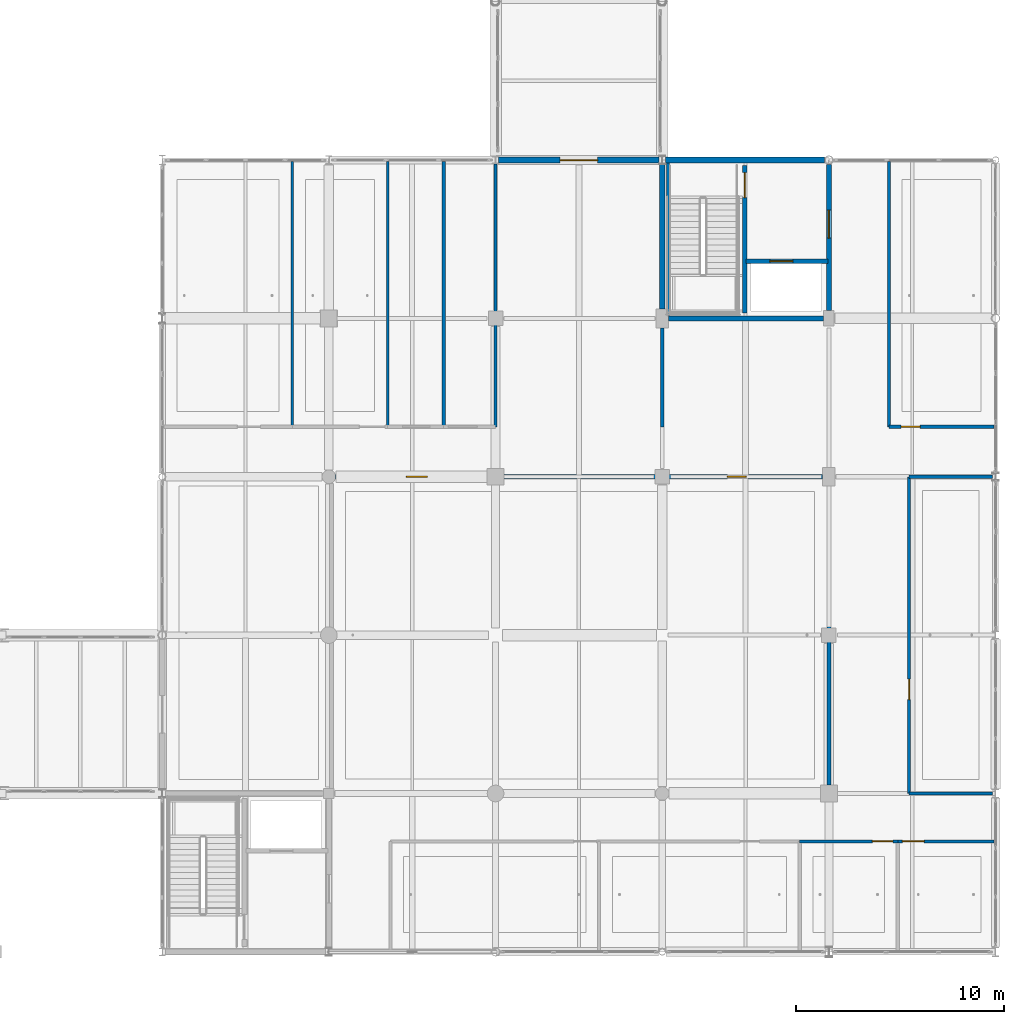
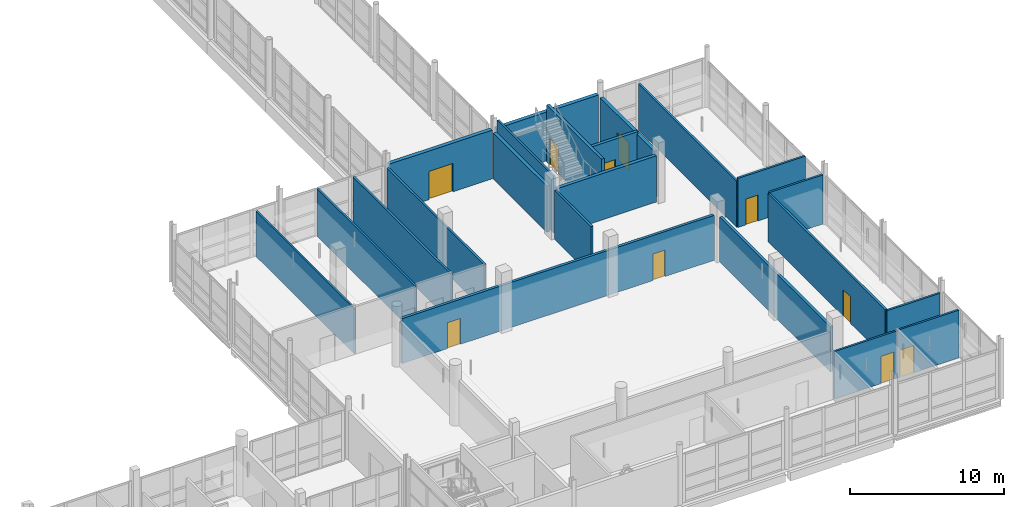
# One storey, part 95 of 141: 22 walls, 10 doors, 10 openings.
"""IFC4 building model written with IfcOpenShell, lengths in metres."""

from ifc_helpers import new_model, si_unit, direction, frame, frame_2d, origin, place, context, subcontext, project, spatial, rectangle, extrude, material, layer, layer_set, type_object, element, fill, save


model = new_model("IFC4")

# Units and contexts
model_context = context("Model", 3, precision=1e-05, world=origin(), true_north=direction((0.0, 1.0)))
body_context = subcontext(model_context, "Body", "Model", "MODEL_VIEW")
ifc_project = project(units=[si_unit("LENGTHUNIT", "METRE"), si_unit("AREAUNIT", "SQUARE_METRE"), si_unit("VOLUMEUNIT", "CUBIC_METRE"), si_unit("PLANEANGLEUNIT", "RADIAN"), si_unit("MASSUNIT", "GRAM", prefix="KILO")], contexts=[model_context])

# Site, building, storey
site_placement = place(None, origin())
site = spatial("IfcSite", under=ifc_project, at=site_placement, CompositionType="ELEMENT")
building_placement = place(site_placement, origin())
building = spatial("IfcBuilding", under=site, at=building_placement, Name="Khelvaren Railside Concert Hall", CompositionType="ELEMENT")
storey_placement = place(building_placement, frame((0.0, 0.0, 10.199951171875)))
storey = spatial("IfcBuildingStorey", under=building, at=storey_placement, Name="L02", CompositionType="ELEMENT", Elevation=10.199951171875)

# Walls
ifc_material_1 = material(Name="Concrete C40/50", Category="concrete")
ifc_layer_1 = layer(ifc_material_1, 0.139892578125)
ifc_layer_set_1 = layer_set([ifc_layer_1], Name="Concrete C40/50")
wall_type_1 = type_object("IfcWallType", Name="CW17", PredefinedType="SOLIDWALL", material=ifc_layer_set_1)
wall_1_placement = place(storey_placement, frame((168.27490234375, 30.550048828125, 0.0), z_axis=(0.0, 0.0, 1.0), x_axis=(0.0, 1.0, 0.0)))
element("IfcWall", 1, at=wall_1_placement, inside=storey, type_object=wall_type_1, Name="Core Shaft Structural Liner Wall ST-04-L02", PredefinedType="SOLIDWALL", context=body_context, shape_type="SweptSolid", body=[
    extrude(rectangle(XDim=7.300048828125, YDim=0.139892578125, at=frame_2d((3.64990234375, 0.0))), origin(), (0.0, 0.0, 1.0), 4.52001953125),
])
ifc_layer_2 = layer(ifc_material_1, 0.25)
ifc_layer_set_2 = layer_set([ifc_layer_2], Name="Concrete C40/50")
wall_type_2 = type_object("IfcWallType", Name="CW82", PredefinedType="SOLIDWALL", material=ifc_layer_set_2)
wall_2_placement = place(storey_placement, frame((168.0, 30.85009765625, 0.0), z_axis=(0.0, 0.0, 1.0), x_axis=(0.0, 1.0, 0.0)))
element("IfcWall", 2, at=wall_2_placement, inside=storey, type_object=wall_type_2, Name="Core Enclosure Wall CWALL-ST-04-L02-W", PredefinedType="SOLIDWALL", context=body_context, shape_type="SweptSolid", body=[
    extrude(rectangle(XDim=6.954833984375, YDim=0.25, at=frame_2d((3.4775390625, 0.0))), origin(), (0.0, 0.0, 1.0), 3.655029296875),
])
wall_3_placement = place(storey_placement, frame((168.300048828125, 30.39990234375, 0.0), z_axis=(0.0, 0.0, 1.0), x_axis=(1.0, 0.0, 0.0)))
element("IfcWall", 3, at=wall_3_placement, inside=storey, type_object=wall_type_2, Name="Core Enclosure Wall CWALL-ST-04-L02-S", PredefinedType="SOLIDWALL", context=body_context, shape_type="SweptSolid", body=[
    extrude(rectangle(XDim=7.449951171875, YDim=0.25, at=frame_2d((3.72509765625, 0.0))), origin(), (0.0, 0.0, 1.0), 3.66015625),
])

# Wall, opening, door
wall_4_placement = place(storey_placement, frame((176.0, 30.77490234375, 0.0), z_axis=(0.0, 0.0, 1.0), x_axis=(0.0, 1.0, 0.0)))
wall_4 = element("IfcWall", 4, at=wall_4_placement, inside=storey, type_object=wall_type_2, Name="Core Enclosure Wall CWALL-ST-04-L02-E", PredefinedType="SOLIDWALL", context=body_context, shape_type="SweptSolid", body=[
    extrude(rectangle(XDim=7.02197265625, YDim=0.25, at=frame_2d((3.510986328125, 0.0))), origin(), (0.0, 0.0, 1.0), 3.64501953125),
])
opening_1_placement = place(wall_4_placement, frame((3.47509765625, 0.0, 0.0)))
opening_1 = element("IfcOpeningElement", 5, at=opening_1_placement, cuts=wall_4, Name="Opening FDR34", PredefinedType="OPENING", context=body_context, shape_type="SweptSolid", body=[
    extrude(rectangle(XDim=1.35009765625, YDim=2.199951171875, at=frame_2d((0.675048828125, 1.10009765625))), frame((0.0, 0.135009765625, 0.0), z_axis=(0.0, -1.0, 0.0), x_axis=(1.0, 0.0, 0.0)), (0.0, 0.0, 1.0), 0.27001953125),
])
ifc_material_2 = material(Name="Acoustic fire-rated timber-core steel frame door", Category="steel")
door_type_1 = type_object("IfcDoorType", Name="FDR34", OperationType="NOTDEFINED", PredefinedType="DOOR", material=ifc_material_2)
door_1_placement = place(opening_1_placement, origin())
door_1 = element("IfcDoor", 6, at=door_1_placement, inside=storey, type_object=door_type_1, Name="Interior Door DR-ST-04-L02-LOB", OperationType="SINGLE_SWING_LEFT", OverallHeight=2.199951171875, OverallWidth=1.35009765625, PredefinedType="DOOR", context=body_context, shape_type="SweptSolid", body=[
    extrude(rectangle(XDim=1.35009765625, YDim=2.199951171875, at=frame_2d((0.675048828125, 1.10009765625))), frame((0.0, 0.02490234375, 0.0), z_axis=(0.0, -1.0, 0.0), x_axis=(1.0, 0.0, 0.0)), (0.0, 0.0, 1.0), 0.050048828125),
])
fill(opening_1, door_1)

ifc_layer_3 = layer(ifc_material_1, 0.219970703125)
ifc_layer_set_3 = layer_set([ifc_layer_3], Name="Concrete C40/50")
wall_type_3 = type_object("IfcWallType", Name="CW97", PredefinedType="SOLIDWALL", material=ifc_layer_set_3)
wall_5_placement = place(storey_placement, frame((171.949951171875, 30.64990234375, 0.0), z_axis=(0.0, 0.0, 1.0), x_axis=(0.0, 1.0, 0.0)))
wall_5 = element("IfcWall", 7, at=wall_5_placement, inside=storey, type_object=wall_type_3, Name="Core Enclosure Wall CWALL-ST-04-L02-MID", PredefinedType="SOLIDWALL", context=body_context, shape_type="SweptSolid", body=[
    extrude(rectangle(XDim=7.10009765625, YDim=0.219970703125, at=frame_2d((3.550048828125, 0.0))), origin(), (0.0, 0.0, 1.0), 4.52001953125),
])
opening_2_placement = place(wall_5_placement, frame((5.550048828125, 0.0, 0.0)))
opening_2 = element("IfcOpeningElement", 8, at=opening_2_placement, cuts=wall_5, Name="Opening FDR17", PredefinedType="OPENING", context=body_context, shape_type="SweptSolid", body=[
    extrude(rectangle(XDim=1.199951171875, YDim=2.14990234375, at=frame_2d((0.60009765625, 1.074951171875))), frame((0.0, 0.119873046875, 0.0), z_axis=(0.0, -1.0, 0.0), x_axis=(1.0, 0.0, 0.0)), (0.0, 0.0, 1.0), 0.239990234375),
])
door_type_2 = type_object("IfcDoorType", Name="FDR17", OperationType="NOTDEFINED", PredefinedType="DOOR", material=ifc_material_2)
door_2_placement = place(opening_2_placement, origin())
door_2 = element("IfcDoor", 9, at=door_2_placement, inside=storey, type_object=door_type_2, Name="Interior Door DR-ST-04-L02-ST", OperationType="SINGLE_SWING_RIGHT", OverallHeight=2.14990234375, OverallWidth=1.199951171875, PredefinedType="DOOR", context=body_context, shape_type="SweptSolid", body=[
    extrude(rectangle(XDim=1.199951171875, YDim=2.14990234375, at=frame_2d((0.60009765625, 1.074951171875))), frame((0.0, 0.02490234375, 0.0), z_axis=(0.0, -1.0, 0.0), x_axis=(1.0, 0.0, 0.0)), (0.0, 0.0, 1.0), 0.050048828125),
])
fill(opening_2, door_2)

wall_6_placement = place(storey_placement, frame((172.02001953125, 33.14990234375, 0.0), z_axis=(0.0, 0.0, 1.0), x_axis=(1.0, 0.0, 0.0)))
wall_6 = element("IfcWall", 10, at=wall_6_placement, inside=storey, type_object=wall_type_3, Name="Core Enclosure Wall CWALL-ST-04-L02-SHF", PredefinedType="SOLIDWALL", context=body_context, shape_type="SweptSolid", body=[
    extrude(rectangle(XDim=3.929931640625, YDim=0.219970703125, at=frame_2d((1.96484375, 0.0))), origin(), (0.0, 0.0, 1.0), 3.820068359375),
])
opening_3_placement = place(wall_6_placement, frame((1.14990234375, 0.0, 0.0)))
opening_3 = element("IfcOpeningElement", 11, at=opening_3_placement, cuts=wall_6, Name="Opening LD-PL-03", PredefinedType="OPENING", context=body_context, shape_type="SweptSolid", body=[
    extrude(rectangle(XDim=1.10009765625, YDim=2.199951171875, at=frame_2d((0.550048828125, 1.10009765625))), frame((0.0, 0.119873046875, 0.0), z_axis=(0.0, -1.0, 0.0), x_axis=(1.0, 0.0, 0.0)), (0.0, 0.0, 1.0), 0.239990234375),
])
ifc_material_3 = material(Name="Fire-rated brushed stainless steel landing door", Category="steel")
door_type_3 = type_object("IfcDoorType", Name="LD96", OperationType="DOUBLE_DOOR_SLIDING", PredefinedType="DOOR", material=ifc_material_3)
door_3_placement = place(opening_3_placement, origin())
door_3 = element("IfcDoor", 12, at=door_3_placement, inside=storey, type_object=door_type_3, Name="Lift Landing Door LD-PL-03-L02", OperationType="DOUBLE_DOOR_SLIDING", OverallHeight=2.199951171875, OverallWidth=1.10009765625, PredefinedType="DOOR", context=body_context, shape_type="SweptSolid", body=[
    extrude(rectangle(XDim=1.10009765625, YDim=2.199951171875, at=frame_2d((0.550048828125, 1.10009765625))), frame((0.0, 0.02490234375, 0.0), z_axis=(0.0, -1.0, 0.0), x_axis=(1.0, 0.0, 0.0)), (0.0, 0.0, 1.0), 0.050048828125),
])
fill(opening_3, door_3)

ifc_material_4 = material(Name="Board-marked architectural concrete C40/50", Category="concrete")
ifc_layer_4 = layer(ifc_material_4, 0.280029296875)
ifc_layer_set_4 = layer_set([ifc_layer_4], Name="Board-marked architectural concrete C40/50")
wall_type_4 = type_object("IfcWallType", Name="EW17", PredefinedType="SOLIDWALL", material=ifc_layer_set_4)
wall_7_placement = place(storey_placement, frame((160.14990234375, 38.0, 0.0), z_axis=(0.0, 0.0, 1.0), x_axis=(1.0, 0.0, 0.0)))
wall_7 = element("IfcWall", 13, at=wall_7_placement, inside=storey, type_object=wall_type_4, Name="V2 L02 Bridge Portal Wall N", PredefinedType="SOLIDWALL", context=body_context, shape_type="SweptSolid", body=[
    extrude(rectangle(XDim=7.7001953125, YDim=0.280029296875, at=frame_2d((3.85009765625, 0.0))), origin(), (0.0, 0.0, 1.0), 3.860107421875),
])
opening_4_placement = place(wall_7_placement, frame((2.949951171875, 0.0, 0.0)))
opening_4 = element("IfcOpeningElement", 14, at=opening_4_placement, cuts=wall_7, Name="Opening DR64", PredefinedType="OPENING", context=body_context, shape_type="SweptSolid", body=[
    extrude(rectangle(XDim=1.800048828125, YDim=2.25, at=frame_2d((0.89990234375, 1.125))), frame((0.0, 0.14990234375, 0.0), z_axis=(0.0, -1.0, 0.0), x_axis=(1.0, 0.0, 0.0)), (0.0, 0.0, 1.0), 0.300048828125),
])
ifc_material_5 = material(Name="Glazed fire-rated steel frame door", Category="steel")
door_type_4 = type_object("IfcDoorType", Name="DR64", OperationType="DOUBLE_DOOR_SINGLE_SWING", PredefinedType="DOOR", material=ifc_material_5)
door_4_placement = place(opening_4_placement, origin())
door_4 = element("IfcDoor", 15, at=door_4_placement, inside=storey, type_object=door_type_4, Name="V2 L02 Link Bridge Portal Door", OperationType="DOUBLE_DOOR_SINGLE_SWING", OverallHeight=2.25, OverallWidth=1.800048828125, PredefinedType="DOOR", context=body_context, shape_type="SweptSolid", body=[
    extrude(rectangle(XDim=1.800048828125, YDim=2.25, at=frame_2d((0.89990234375, 1.125))), frame((0.0, 0.02490234375, 0.0), z_axis=(0.0, -1.0, 0.0), x_axis=(1.0, 0.0, 0.0)), (0.0, 0.0, 1.0), 0.050048828125),
])
fill(opening_4, door_4)

# Wall
wall_8_placement = place(storey_placement, frame((168.14990234375, 38.0, 0.0), z_axis=(0.0, 0.0, 1.0), x_axis=(1.0, 0.0, 0.0)))
element("IfcWall", 16, at=wall_8_placement, inside=storey, type_object=wall_type_4, Name="V2 L02 Exterior Concrete Wall N-168", PredefinedType="SOLIDWALL", context=body_context, shape_type="SweptSolid", body=[
    extrude(rectangle(XDim=7.64697265625, YDim=0.280029296875, at=frame_2d((3.823486328125, 0.0))), origin(), (0.0, 0.0, 1.0), 3.860107421875),
])

# Wall, openings, doors
ifc_material_6 = material(Name="Acoustic double-stud gypsum partition", Category="gypsum")
ifc_layer_5 = layer(ifc_material_6, 0.199951171875)
ifc_layer_set_5 = layer_set([ifc_layer_5], Name="Acoustic double-stud gypsum partition")
wall_type_5 = type_object("IfcWallType", Name="PT35", PredefinedType="PARTITIONING", material=ifc_layer_set_5)
wall_9_placement = place(storey_placement, frame((152.324951171875, 22.800048828125, 0.0), z_axis=(0.0, 0.0, 1.0), x_axis=(1.0, 0.0, 0.0)))
wall_9 = element("IfcWall", 17, at=wall_9_placement, inside=storey, type_object=wall_type_5, Name="Acoustic Partition Wall PW-V2-L02-ORCH-N", PredefinedType="PARTITIONING", context=body_context, shape_type="SweptSolid", body=[
    extrude(rectangle(XDim=23.375, YDim=0.199951171875, at=frame_2d((11.6875, 0.0))), origin(), (0.0, 0.0, 1.0), 3.56005859375),
])
opening_5_placement = place(wall_9_placement, frame((3.39990234375, 0.0, 0.0)))
opening_5 = element("IfcOpeningElement", 18, at=opening_5_placement, cuts=wall_9, Name="Opening IDR21", PredefinedType="OPENING", context=body_context, shape_type="SweptSolid", body=[
    extrude(rectangle(XDim=1.0, YDim=2.050048828125, at=frame_2d((0.5, 1.02490234375))), frame((0.0, 0.10986328125, 0.0), z_axis=(0.0, -1.0, 0.0), x_axis=(1.0, 0.0, 0.0)), (0.0, 0.0, 1.0), 0.219970703125),
])
opening_6_placement = place(wall_9_placement, frame((18.800048828125, 0.0, 0.0)))
opening_6 = element("IfcOpeningElement", 19, at=opening_6_placement, cuts=wall_9, Name="Opening IDR56", PredefinedType="OPENING", context=body_context, shape_type="SweptSolid", body=[
    extrude(rectangle(XDim=0.89990234375, YDim=2.10009765625, at=frame_2d((0.449951171875, 1.050048828125))), frame((0.0, 0.10986328125, 0.0), z_axis=(0.0, -1.0, 0.0), x_axis=(1.0, 0.0, 0.0)), (0.0, 0.0, 1.0), 0.219970703125),
])
ifc_material_7 = material(Name="Solid oak acoustic studio door", Category="wood")
door_type_5 = type_object("IfcDoorType", Name="IDR21", OperationType="NOTDEFINED", PredefinedType="DOOR", material=ifc_material_7)
door_5_placement = place(opening_5_placement, origin())
door_5 = element("IfcDoor", 20, at=door_5_placement, inside=storey, type_object=door_type_5, Name="Interior Door DR-V2-L02-ORCH1", OperationType="SINGLE_SWING_RIGHT", OverallHeight=2.050048828125, OverallWidth=1.0, PredefinedType="DOOR", context=body_context, shape_type="SweptSolid", body=[
    extrude(rectangle(XDim=1.0, YDim=2.050048828125, at=frame_2d((0.5, 1.02490234375))), frame((0.0, 0.02490234375, 0.0), z_axis=(0.0, -1.0, 0.0), x_axis=(1.0, 0.0, 0.0)), (0.0, 0.0, 1.0), 0.050048828125),
])
fill(opening_5, door_5)
door_type_6 = type_object("IfcDoorType", Name="IDR56", OperationType="NOTDEFINED", PredefinedType="DOOR", material=ifc_material_7)
door_6_placement = place(opening_6_placement, origin())
door_6 = element("IfcDoor", 21, at=door_6_placement, inside=storey, type_object=door_type_6, Name="Interior Door DR-V2-L02-ORCH2", OperationType="SINGLE_SWING_LEFT", OverallHeight=2.10009765625, OverallWidth=0.89990234375, PredefinedType="DOOR", context=body_context, shape_type="SweptSolid", body=[
    extrude(rectangle(XDim=0.89990234375, YDim=2.10009765625, at=frame_2d((0.449951171875, 1.050048828125))), frame((0.0, 0.02490234375, 0.0), z_axis=(0.0, -1.0, 0.0), x_axis=(1.0, 0.0, 0.0)), (0.0, 0.0, 1.0), 0.050048828125),
])
fill(opening_6, door_6)

# Walls
wall_10_placement = place(storey_placement, frame((176.0, 8.0, 0.0), z_axis=(0.0, 0.0, 1.0), x_axis=(0.0, 1.0, 0.0)))
element("IfcWall", 22, at=wall_10_placement, inside=storey, type_object=wall_type_5, Name="Acoustic Partition Wall PW-V2-L02-ORCH-E", PredefinedType="PARTITIONING", context=body_context, shape_type="SweptSolid", body=[
    extrude(rectangle(XDim=14.35009765625, YDim=0.199951171875, at=frame_2d((7.175048828125, 0.0))), origin(), (0.0, 0.0, 1.0), 3.56005859375),
])
ifc_layer_6 = layer(ifc_material_6, 0.139892578125)
ifc_layer_set_6 = layer_set([ifc_layer_6], Name="Acoustic double-stud gypsum partition")
wall_type_6 = type_object("IfcWallType", Name="PT41", PredefinedType="PARTITIONING", material=ifc_layer_set_6)
wall_11_placement = place(storey_placement, frame((154.825927734375, 25.199951171875, 0.0), z_axis=(0.0, 0.0, 1.0), x_axis=(0.0, 1.0, 0.0)))
element("IfcWall", 23, at=wall_11_placement, inside=storey, type_object=wall_type_6, Name="Acoustic Partition Wall PW-V2-L02-N-D02", PredefinedType="PARTITIONING", context=body_context, shape_type="SweptSolid", body=[
    extrude(rectangle(XDim=12.719970703125, YDim=0.139892578125, at=frame_2d((6.35986328125, 0.0))), origin(), (0.0, 0.0, 1.0), 3.77001953125),
])

# Wall, opening, door
ifc_layer_7 = layer(ifc_material_6, 0.139892578125)
ifc_layer_set_7 = layer_set([ifc_layer_7], Name="Acoustic double-stud gypsum partition")
wall_type_7 = type_object("IfcWallType", Name="PT55", PredefinedType="PARTITIONING", material=ifc_layer_set_7)
wall_12_placement = place(storey_placement, frame((174.596923828125, 5.300048828125, 0.0), z_axis=(0.0, 0.0, 1.0), x_axis=(1.0, 0.0, 0.0)))
wall_12 = element("IfcWall", 24, at=wall_12_placement, inside=storey, type_object=wall_type_7, Name="Acoustic Partition Wall PW-V2-L02-S-C03", PredefinedType="PARTITIONING", context=body_context, shape_type="SweptSolid", body=[
    extrude(rectangle(XDim=4.711181640625, YDim=0.139892578125, at=frame_2d((2.35546875, 0.0))), origin(), (0.0, 0.0, 1.0), 3.7451171875),
])
opening_7_placement = place(wall_12_placement, frame((3.490966796875, 0.0, 0.0)))
opening_7 = element("IfcOpeningElement", 25, at=opening_7_placement, cuts=wall_12, Name="Opening IDR67", PredefinedType="OPENING", context=body_context, shape_type="SweptSolid", body=[
    extrude(rectangle(XDim=0.97998046875, YDim=2.14990234375, at=frame_2d((0.489990234375, 1.074951171875))), frame((0.0, 0.079833984375, 0.0), z_axis=(0.0, -1.0, 0.0), x_axis=(1.0, 0.0, 0.0)), (0.0, 0.0, 1.0), 0.159912109375),
])
door_type_7 = type_object("IfcDoorType", Name="IDR67", OperationType="NOTDEFINED", PredefinedType="DOOR", material=ifc_material_7)
door_7_placement = place(opening_7_placement, origin())
door_7 = element("IfcDoor", 26, at=door_7_placement, inside=storey, type_object=door_type_7, Name="Interior Door DR-V2-L02-S-03", OperationType="SINGLE_SWING_LEFT", OverallHeight=2.14990234375, OverallWidth=0.97998046875, PredefinedType="DOOR", context=body_context, shape_type="SweptSolid", body=[
    extrude(rectangle(XDim=0.97998046875, YDim=2.14990234375, at=frame_2d((0.489990234375, 1.074951171875))), frame((0.0, 0.02490234375, 0.0), z_axis=(0.0, -1.0, 0.0), x_axis=(1.0, 0.0, 0.0)), (0.0, 0.0, 1.0), 0.050048828125),
])
fill(opening_7, door_7)

wall_13_placement = place(storey_placement, frame((179.30810546875, 5.300048828125, 0.0), z_axis=(0.0, 0.0, 1.0), x_axis=(1.0, 0.0, 0.0)))
wall_13 = element("IfcWall", 27, at=wall_13_placement, inside=storey, type_object=wall_type_7, Name="Acoustic Partition Wall PW-V2-L02-S-C04", PredefinedType="PARTITIONING", context=body_context, shape_type="SweptSolid", body=[
    extrude(rectangle(XDim=4.61181640625, YDim=0.139892578125, at=frame_2d((2.305908203125, 0.0))), origin(), (0.0, 0.0, 1.0), 3.77001953125),
])
opening_8_placement = place(wall_13_placement, frame((0.219970703125, 0.0, 0.0)))
opening_8 = element("IfcOpeningElement", 28, at=opening_8_placement, cuts=wall_13, Name="Opening IDR24", PredefinedType="OPENING", context=body_context, shape_type="SweptSolid", body=[
    extrude(rectangle(XDim=1.0400390625, YDim=2.14990234375, at=frame_2d((0.52001953125, 1.074951171875))), frame((0.0, 0.079833984375, 0.0), z_axis=(0.0, -1.0, 0.0), x_axis=(1.0, 0.0, 0.0)), (0.0, 0.0, 1.0), 0.159912109375),
])
door_type_8 = type_object("IfcDoorType", Name="IDR24", OperationType="NOTDEFINED", PredefinedType="DOOR", material=ifc_material_7)
door_8_placement = place(opening_8_placement, origin())
door_8 = element("IfcDoor", 29, at=door_8_placement, inside=storey, type_object=door_type_8, Name="Interior Door DR-V2-L02-S-04", OperationType="SINGLE_SWING_RIGHT", OverallHeight=2.14990234375, OverallWidth=1.0400390625, PredefinedType="DOOR", context=body_context, shape_type="SweptSolid", body=[
    extrude(rectangle(XDim=1.0400390625, YDim=2.14990234375, at=frame_2d((0.52001953125, 1.074951171875))), frame((0.0, 0.02490234375, 0.0), z_axis=(0.0, -1.0, 0.0), x_axis=(1.0, 0.0, 0.0)), (0.0, 0.0, 1.0), 0.050048828125),
])
fill(opening_8, door_8)

ifc_layer_8 = layer(ifc_material_6, 0.14990234375)
ifc_layer_set_8 = layer_set([ifc_layer_8], Name="Acoustic double-stud gypsum partition")
wall_type_8 = type_object("IfcWallType", Name="PT72", PredefinedType="PARTITIONING", material=ifc_layer_set_8)
wall_14_placement = place(storey_placement, frame((179.85009765625, 7.60009765625, 0.0), z_axis=(0.0, 0.0, 1.0), x_axis=(0.0, 1.0, 0.0)))
wall_14 = element("IfcWall", 30, at=wall_14_placement, inside=storey, type_object=wall_type_8, Name="Acoustic Partition Wall PW-V2-L02-ALCE-W", PredefinedType="PARTITIONING", context=body_context, shape_type="SweptSolid", body=[
    extrude(rectangle(XDim=15.199951171875, YDim=0.14990234375, at=frame_2d((7.60009765625, 0.0))), origin(), (0.0, 0.0, 1.0), 3.820068359375),
])
opening_9_placement = place(wall_14_placement, frame((4.5, 0.0, 0.0)))
opening_9 = element("IfcOpeningElement", 31, at=opening_9_placement, cuts=wall_14, Name="Opening IDR79", PredefinedType="OPENING", context=body_context, shape_type="SweptSolid", body=[
    extrude(rectangle(XDim=0.989990234375, YDim=2.10009765625, at=frame_2d((0.4951171875, 1.050048828125))), frame((0.0, 0.0849609375, 0.0), z_axis=(0.0, -1.0, 0.0), x_axis=(1.0, 0.0, 0.0)), (0.0, 0.0, 1.0), 0.169921875),
])
door_type_9 = type_object("IfcDoorType", Name="IDR79", OperationType="NOTDEFINED", PredefinedType="DOOR", material=ifc_material_7)
door_9_placement = place(opening_9_placement, origin())
door_9 = element("IfcDoor", 32, at=door_9_placement, inside=storey, type_object=door_type_9, Name="Interior Door DR-V2-L02-ALCE", OperationType="SINGLE_SWING_RIGHT", OverallHeight=2.10009765625, OverallWidth=0.989990234375, PredefinedType="DOOR", context=body_context, shape_type="SweptSolid", body=[
    extrude(rectangle(XDim=0.989990234375, YDim=2.10009765625, at=frame_2d((0.4951171875, 1.050048828125))), frame((0.0, 0.02490234375, 0.0), z_axis=(0.0, -1.0, 0.0), x_axis=(1.0, 0.0, 0.0)), (0.0, 0.0, 1.0), 0.050048828125),
])
fill(opening_9, door_9)

# Walls
wall_15_placement = place(storey_placement, frame((179.85009765625, 7.60009765625, 0.0), z_axis=(0.0, 0.0, 1.0), x_axis=(1.0, 0.0, 0.0)))
element("IfcWall", 33, at=wall_15_placement, inside=storey, type_object=wall_type_8, Name="Acoustic Partition Wall PW-V2-L02-ALCE-S", PredefinedType="PARTITIONING", context=body_context, shape_type="SweptSolid", body=[
    extrude(rectangle(XDim=4.0, YDim=0.14990234375, at=frame_2d((2.0, 0.0))), origin(), (0.0, 0.0, 1.0), 3.7451171875),
])
wall_16_placement = place(storey_placement, frame((179.85009765625, 22.800048828125, 0.0), z_axis=(0.0, 0.0, 1.0), x_axis=(1.0, 0.0, 0.0)))
element("IfcWall", 34, at=wall_16_placement, inside=storey, type_object=wall_type_8, Name="Acoustic Partition Wall PW-V2-L02-ALCE-N", PredefinedType="PARTITIONING", context=body_context, shape_type="SweptSolid", body=[
    extrude(rectangle(XDim=4.0, YDim=0.14990234375, at=frame_2d((2.0, 0.0))), origin(), (0.0, 0.0, 1.0), 3.89013671875),
])
wall_17_placement = place(storey_placement, frame((160.0, 25.199951171875, 0.0), z_axis=(0.0, 0.0, 1.0), x_axis=(0.0, 1.0, 0.0)))
element("IfcWall", 35, at=wall_17_placement, inside=storey, type_object=wall_type_8, Name="Acoustic Partition Wall PW-V2-L02-N-E0", PredefinedType="PARTITIONING", context=body_context, shape_type="SweptSolid", body=[
    extrude(rectangle(XDim=12.6201171875, YDim=0.14990234375, at=frame_2d((6.31005859375, 0.0))), origin(), (0.0, 0.0, 1.0), 3.655029296875),
])
wall_18_placement = place(storey_placement, frame((168.0, 25.199951171875, 0.0), z_axis=(0.0, 0.0, 1.0), x_axis=(0.0, 1.0, 0.0)))
element("IfcWall", 36, at=wall_18_placement, inside=storey, type_object=wall_type_8, Name="Acoustic Partition Wall PW-V2-L02-BRGN-E", PredefinedType="PARTITIONING", context=body_context, shape_type="SweptSolid", body=[
    extrude(rectangle(XDim=4.75, YDim=0.14990234375, at=frame_2d((2.375, 0.0))), origin(), (0.0, 0.0, 1.0), 3.8701171875),
])

# Wall, opening, door
wall_19_placement = place(storey_placement, frame((178.8798828125, 25.199951171875, 0.0), z_axis=(0.0, 0.0, 1.0), x_axis=(1.0, 0.0, 0.0)))
wall_19 = element("IfcWall", 37, at=wall_19_placement, inside=storey, type_object=wall_type_8, Name="Acoustic Partition Wall PW-V2-L02-NE-C01", PredefinedType="PARTITIONING", context=body_context, shape_type="SweptSolid", body=[
    extrude(rectangle(XDim=5.0400390625, YDim=0.14990234375, at=frame_2d((2.52001953125, 0.0))), origin(), (0.0, 0.0, 1.0), 3.89013671875),
])
opening_10_placement = place(wall_19_placement, frame((0.580078125, 0.0, 0.0)))
opening_10 = element("IfcOpeningElement", 38, at=opening_10_placement, cuts=wall_19, Name="Opening IDR68", PredefinedType="OPENING", context=body_context, shape_type="SweptSolid", body=[
    extrude(rectangle(XDim=0.919921875, YDim=2.050048828125, at=frame_2d((0.4599609375, 1.02490234375))), frame((0.0, 0.0849609375, 0.0), z_axis=(0.0, -1.0, 0.0), x_axis=(1.0, 0.0, 0.0)), (0.0, 0.0, 1.0), 0.169921875),
])
door_type_10 = type_object("IfcDoorType", Name="IDR68", OperationType="NOTDEFINED", PredefinedType="DOOR", material=ifc_material_7)
door_10_placement = place(opening_10_placement, origin())
door_10 = element("IfcDoor", 39, at=door_10_placement, inside=storey, type_object=door_type_10, Name="Interior Door DR-V2-L02-NE-01", OperationType="SINGLE_SWING_LEFT", OverallHeight=2.050048828125, OverallWidth=0.919921875, PredefinedType="DOOR", context=body_context, shape_type="SweptSolid", body=[
    extrude(rectangle(XDim=0.919921875, YDim=2.050048828125, at=frame_2d((0.4599609375, 1.02490234375))), frame((0.0, 0.02490234375, 0.0), z_axis=(0.0, -1.0, 0.0), x_axis=(1.0, 0.0, 0.0)), (0.0, 0.0, 1.0), 0.050048828125),
])
fill(opening_10, door_10)

# Walls
wall_20_placement = place(storey_placement, frame((178.8798828125, 25.199951171875, 0.0), z_axis=(0.0, 0.0, 1.0), x_axis=(0.0, 1.0, 0.0)))
element("IfcWall", 40, at=wall_20_placement, inside=storey, type_object=wall_type_8, Name="Acoustic Partition Wall PW-V2-L02-NE-W0", PredefinedType="PARTITIONING", context=body_context, shape_type="SweptSolid", body=[
    extrude(rectangle(XDim=12.719970703125, YDim=0.14990234375, at=frame_2d((6.35986328125, 0.0))), origin(), (0.0, 0.0, 1.0), 3.64501953125),
])
ifc_layer_9 = layer(ifc_material_6, 0.1201171875)
ifc_layer_set_9 = layer_set([ifc_layer_9], Name="Acoustic double-stud gypsum partition")
wall_type_9 = type_object("IfcWallType", Name="PT74", PredefinedType="PARTITIONING", material=ifc_layer_set_9)
wall_21_placement = place(storey_placement, frame((150.2490234375, 25.199951171875, 0.0), z_axis=(0.0, 0.0, 1.0), x_axis=(0.0, 1.0, 0.0)))
element("IfcWall", 41, at=wall_21_placement, inside=storey, type_object=wall_type_9, Name="Acoustic Partition Wall PW-V2-L02-N-D01", PredefinedType="PARTITIONING", context=body_context, shape_type="SweptSolid", body=[
    extrude(rectangle(XDim=12.719970703125, YDim=0.1201171875, at=frame_2d((6.35986328125, 0.0))), origin(), (0.0, 0.0, 1.0), 3.594970703125),
])
ifc_layer_10 = layer(ifc_material_6, 0.159912109375)
ifc_layer_set_10 = layer_set([ifc_layer_10], Name="Acoustic double-stud gypsum partition")
wall_type_10 = type_object("IfcWallType", Name="PT97", PredefinedType="PARTITIONING", material=ifc_layer_set_10)
wall_22_placement = place(storey_placement, frame((157.511962890625, 25.199951171875, 0.0), z_axis=(0.0, 0.0, 1.0), x_axis=(0.0, 1.0, 0.0)))
element("IfcWall", 42, at=wall_22_placement, inside=storey, type_object=wall_type_10, Name="Acoustic Partition Wall PW-V2-L02-N-D03", PredefinedType="PARTITIONING", context=body_context, shape_type="SweptSolid", body=[
    extrude(rectangle(XDim=12.719970703125, YDim=0.159912109375, at=frame_2d((6.35986328125, 0.0))), origin(), (0.0, 0.0, 1.0), 3.77001953125),
])

save(model, "model.ifc")
